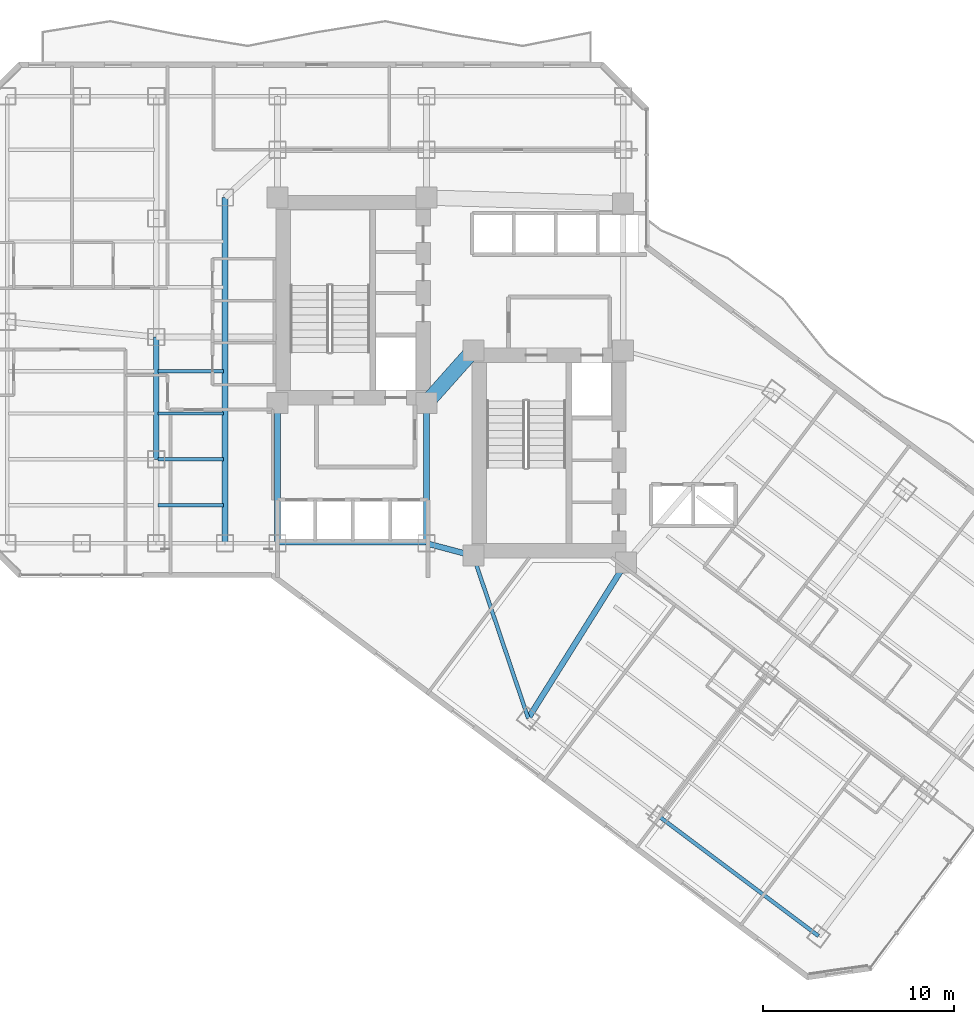
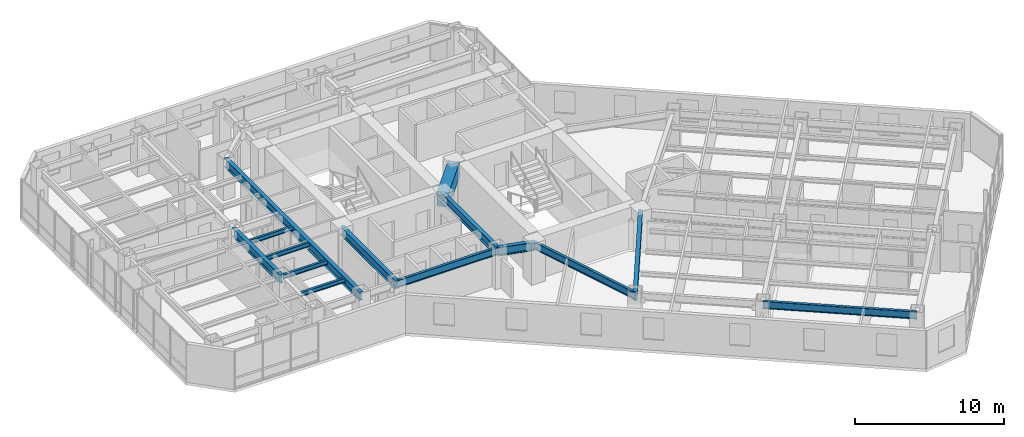
# One storey, part 5 of 31: 14 beams.
"""IFC4 building model written with IfcOpenShell, lengths in metres."""

from ifc_helpers import new_model, si_unit, direction, frame, origin, origin_2d, place, context, subcontext, project, spatial, rectangle, i_section, extrude, material, material_profile, profile_set, type_object, element, save


model = new_model("IFC4")

# Units and contexts
model_context = context("Model", 3, precision=1e-05, world=origin(), true_north=direction((0.0, 1.0)))
body_context = subcontext(model_context, "Body", "Model", "MODEL_VIEW")
ifc_project = project(units=[si_unit("LENGTHUNIT", "METRE"), si_unit("AREAUNIT", "SQUARE_METRE"), si_unit("VOLUMEUNIT", "CUBIC_METRE"), si_unit("PLANEANGLEUNIT", "RADIAN"), si_unit("MASSUNIT", "GRAM", prefix="KILO")], contexts=[model_context])

# Site, building, storey
site_placement = place(None, origin())
site = spatial("IfcSite", under=ifc_project, at=site_placement, CompositionType="ELEMENT")
building_placement = place(site_placement, origin())
building = spatial("IfcBuilding", under=site, at=building_placement, Name="Hatsunagi Terrace Concourse", CompositionType="ELEMENT")
storey_placement = place(building_placement, frame((0.0, 0.0, 81.300048828125)))
storey = spatial("IfcBuildingStorey", under=building, at=storey_placement, Name="L21", CompositionType="ELEMENT", Elevation=81.300048828125)

# Beams
ifc_material_1 = material(Name="Concrete Fc60", Category="concrete")
ifc_material_profile_1 = material_profile(ifc_material_1, rectangle(XDim=0.800048828125, YDim=1.199951171875, at=origin_2d()), Name="RC-800x1200")
ifc_profile_set_1 = profile_set([ifc_material_profile_1], Name="Concrete Fc60")
beam_type_1 = type_object("IfcBeamType", Name="CoreCouplingBeam_RC_800x1200", PredefinedType="BEAM", material=ifc_profile_set_1)
beam_1_placement = place(storey_placement, frame((33.35009765625, 32.550048828125, 2.530029296875), z_axis=(0.665198651008, 0.746666427997, 0.0), x_axis=(-0.746666427997, 0.665198651008, 0.0)))
element("IfcBeam", 1, at=beam_1_placement, inside=storey, type_object=beam_type_1, Name="Beam CB-01 CB-L21-1", PredefinedType="BEAM", context=body_context, shape_type="SweptSolid", body=[
    extrude(rectangle(XDim=0.800048828125, YDim=1.199951171875, at=origin_2d()), origin(), (0.0, 0.0, 1.0), 3.68310546875),
])
ifc_material_2 = material(Name="Steel SN490B", Category="steel")
ifc_material_profile_2 = material_profile(ifc_material_2, i_section(OverallWidth=0.300048828125, OverallDepth=0.699951171875, WebThickness=0.012939453125, FlangeThickness=0.02392578125, FilletRadius=0.02197265625, at=origin_2d()), Name="H-700x300x13x24")
ifc_profile_set_2 = profile_set([ifc_material_profile_2], Name="Steel SN490B")
beam_type_2 = type_object("IfcBeamType", Name="HotelFloorGirder_H_700x300", PredefinedType="BEAM", material=ifc_profile_set_2)
for number, where, z_axis, x_axis, name in (
    (2, (25.550048828125, 25.199951171875, 2.780029296875), (0.0, 1.0, 0.0), (-1.0, 0.0, 0.0), "Beam G-04 BM-L21-K1CA"),
    (3, (33.35009765625, 25.199951171875, 2.780029296875), (0.0, 1.0, 0.0), (-1.0, 0.0, 0.0), "Beam G-04 BM-L21-K2CA"),
):
    element("IfcBeam", number, at=place(storey_placement, frame(where, z_axis=z_axis, x_axis=x_axis)), inside=storey, type_object=beam_type_2, Name=name, PredefinedType="BEAM", context=body_context, shape_type="SweptSolid", body=[
        extrude(i_section(OverallWidth=0.300048828125, OverallDepth=0.699951171875, WebThickness=0.012939453125, FlangeThickness=0.02392578125, FilletRadius=0.02197265625, at=origin_2d()), origin(), (0.0, 0.0, 1.0), 7.35009765625),
    ])
beam_2_placement = place(storey_placement, frame((33.35009765625, 25.199951171875, 2.780029296875), z_axis=(0.966569840116, -0.256403479262, 0.0), x_axis=(0.256403479262, 0.966569840116, 0.0)))
element("IfcBeam", 4, at=beam_2_placement, inside=storey, type_object=beam_type_2, Name="Beam G-04 BM-L21-K2CB", PredefinedType="BEAM", context=body_context, shape_type="SweptSolid", body=[
    extrude(i_section(OverallWidth=0.300048828125, OverallDepth=0.699951171875, WebThickness=0.012939453125, FlangeThickness=0.02392578125, FilletRadius=0.02197265625, at=origin_2d()), origin(), (0.0, 0.0, 1.0), 2.53466796875),
])
beam_3_placement = place(storey_placement, frame((22.800048828125, 25.199951171875, 2.780029296875), z_axis=(0.0, 1.0, 0.0), x_axis=(-1.0, 0.0, 0.0)))
element("IfcBeam", 5, at=beam_3_placement, inside=storey, type_object=beam_type_2, Name="Beam G-04 BM-L21-CWNS", PredefinedType="BEAM", context=body_context, shape_type="SweptSolid", body=[
    extrude(i_section(OverallWidth=0.300048828125, OverallDepth=0.699951171875, WebThickness=0.012939453125, FlangeThickness=0.02392578125, FilletRadius=0.02197265625, at=origin_2d()), origin(), (0.0, 0.0, 1.0), 18.10009765625),
])
beam_4_placement = place(storey_placement, frame((19.199951171875, 29.60009765625, 2.780029296875), z_axis=(0.0, 1.0, 0.0), x_axis=(-1.0, 0.0, 0.0)))
element("IfcBeam", 6, at=beam_4_placement, inside=storey, type_object=beam_type_2, Name="Beam G-04 BM-L21-NS-19-29", PredefinedType="BEAM", context=body_context, shape_type="SweptSolid", body=[
    extrude(i_section(OverallWidth=0.300048828125, OverallDepth=0.699951171875, WebThickness=0.012939453125, FlangeThickness=0.02392578125, FilletRadius=0.02197265625, at=origin_2d()), origin(), (0.0, 0.0, 1.0), 6.39990234375),
])
beam_5_placement = place(storey_placement, frame((38.679931640625, 16.0400390625, 2.780029296875), z_axis=(0.531503907049, 0.847055840421, 0.0), x_axis=(-0.847055840421, 0.531503907049, 0.0)))
element("IfcBeam", 7, at=beam_5_placement, inside=storey, type_object=beam_type_2, Name="Beam G-04 BM-L21-SET-1A", PredefinedType="BEAM", context=body_context, shape_type="SweptSolid", body=[
    extrude(i_section(OverallWidth=0.300048828125, OverallDepth=0.699951171875, WebThickness=0.012939453125, FlangeThickness=0.02392578125, FilletRadius=0.02197265625, at=origin_2d()), origin(), (0.0, 0.0, 1.0), 9.63330078125),
])
ifc_material_3 = material(Name="Steel SN490B", Category="steel")
ifc_material_profile_3 = material_profile(ifc_material_3, i_section(OverallWidth=0.175048828125, OverallDepth=0.35009765625, WebThickness=0.007080078125, FlangeThickness=0.010986328125, FilletRadius=0.012939453125, at=origin_2d()), Name="H-350x175x7x11")
ifc_profile_set_3 = profile_set([ifc_material_profile_3], Name="Steel SN490B")
beam_type_3 = type_object("IfcBeamType", Name="HotelJoist_H_350x175", PredefinedType="JOIST", material=ifc_profile_set_3)
for number, where, z_axis, x_axis, name in (
    (8, (19.284912109375, 27.199951171875, 2.954833984375), (1.0, 0.0, 0.0), (0.0, 1.0, 0.0), "Beam J-02 J-L21-W-19-272"),
    (9, (19.284912109375, 29.60009765625, 2.954833984375), (1.0, 0.0, 0.0), (0.0, 1.0, 0.0), "Beam J-02 J-L21-W-19-296"),
    (10, (19.284912109375, 32.0, 2.954833984375), (1.0, 0.0, 0.0), (0.0, 1.0, 0.0), "Beam J-02 J-L21-W-19-320"),
    (11, (19.284912109375, 34.199951171875, 2.954833984375), (1.0, 0.0, 0.0), (0.0, 1.0, 0.0), "Beam J-02 J-L21-W-19-342"),
):
    element("IfcBeam", number, at=place(storey_placement, frame(where, z_axis=z_axis, x_axis=x_axis)), inside=storey, type_object=beam_type_3, Name=name, PredefinedType="JOIST", context=body_context, shape_type="SweptSolid", body=[
        extrude(i_section(OverallWidth=0.175048828125, OverallDepth=0.35009765625, WebThickness=0.007080078125, FlangeThickness=0.010986328125, FilletRadius=0.012939453125, at=origin_2d()), origin(), (0.0, 0.0, 1.0), 3.43017578125),
    ])
ifc_material_4 = material(Name="Steel SN490B", Category="steel")
ifc_material_profile_4 = material_profile(ifc_material_4, i_section(OverallWidth=0.199951171875, OverallDepth=0.60009765625, WebThickness=0.010986328125, FlangeThickness=0.01708984375, FilletRadius=0.01806640625, at=origin_2d()), Name="H-600x200x11x17")
ifc_profile_set_4 = profile_set([ifc_material_profile_4], Name="Steel SN490B")
beam_type_4 = type_object("IfcBeamType", Name="PerimeterSpandrel_H_600x200", PredefinedType="SPANDREL", material=ifc_profile_set_4)
beam_6_placement = place(storey_placement, frame((25.550048828125, 25.199951171875, 2.829833984375), z_axis=(1.0, 0.0, 0.0), x_axis=(0.0, 1.0, 0.0)))
element("IfcBeam", 12, at=beam_6_placement, inside=storey, type_object=beam_type_4, Name="Beam SP-01 BM-L21-WS-25", PredefinedType="SPANDREL", context=body_context, shape_type="SweptSolid", body=[
    extrude(i_section(OverallWidth=0.199951171875, OverallDepth=0.60009765625, WebThickness=0.010986328125, FlangeThickness=0.01708984375, FilletRadius=0.01806640625, at=origin_2d()), origin(), (0.0, 0.0, 1.0), 7.800048828125),
])
beam_7_placement = place(storey_placement, frame((35.800048828125, 24.550048828125, 2.829833984375), z_axis=(0.320553412271, -0.947230441805, 0.0), x_axis=(0.947230441805, 0.320553412271, 0.0)))
element("IfcBeam", 13, at=beam_7_placement, inside=storey, type_object=beam_type_4, Name="Beam SP-01 BM-L21-SE-SW0", PredefinedType="SPANDREL", context=body_context, shape_type="SweptSolid", body=[
    extrude(i_section(OverallWidth=0.199951171875, OverallDepth=0.60009765625, WebThickness=0.010986328125, FlangeThickness=0.01708984375, FilletRadius=0.01806640625, at=origin_2d()), origin(), (0.0, 0.0, 1.0), 8.984130859375),
])
beam_8_placement = place(storey_placement, frame((45.56005859375, 10.8798828125, 2.829833984375), z_axis=(0.799994365871, -0.600007512099, 0.0), x_axis=(0.600007512099, 0.799994365871, 0.0)))
element("IfcBeam", 14, at=beam_8_placement, inside=storey, type_object=beam_type_4, Name="Beam SP-01 BM-L21-SE-SW3", PredefinedType="SPANDREL", context=body_context, shape_type="SweptSolid", body=[
    extrude(i_section(OverallWidth=0.199951171875, OverallDepth=0.60009765625, WebThickness=0.010986328125, FlangeThickness=0.01708984375, FilletRadius=0.01806640625, at=origin_2d()), origin(), (0.0, 0.0, 1.0), 10.39990234375),
])

save(model, "model.ifc")
